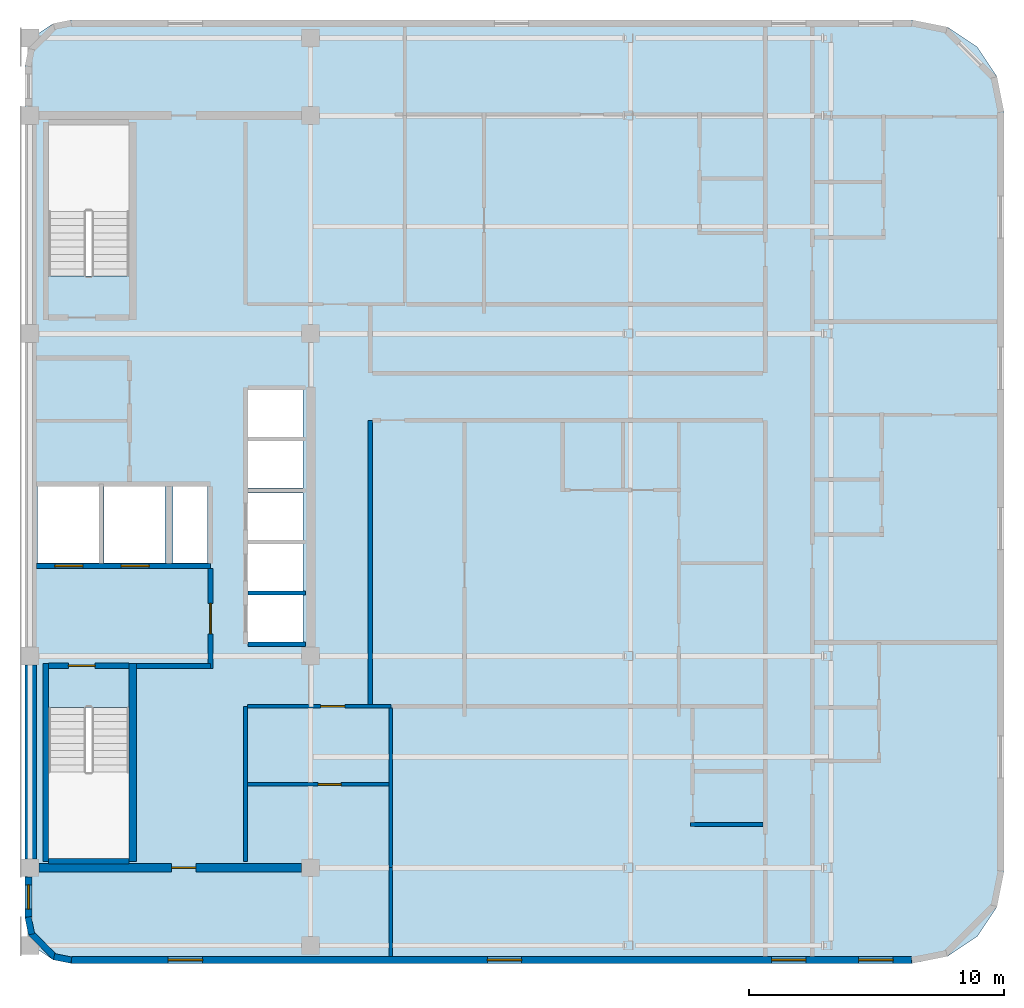
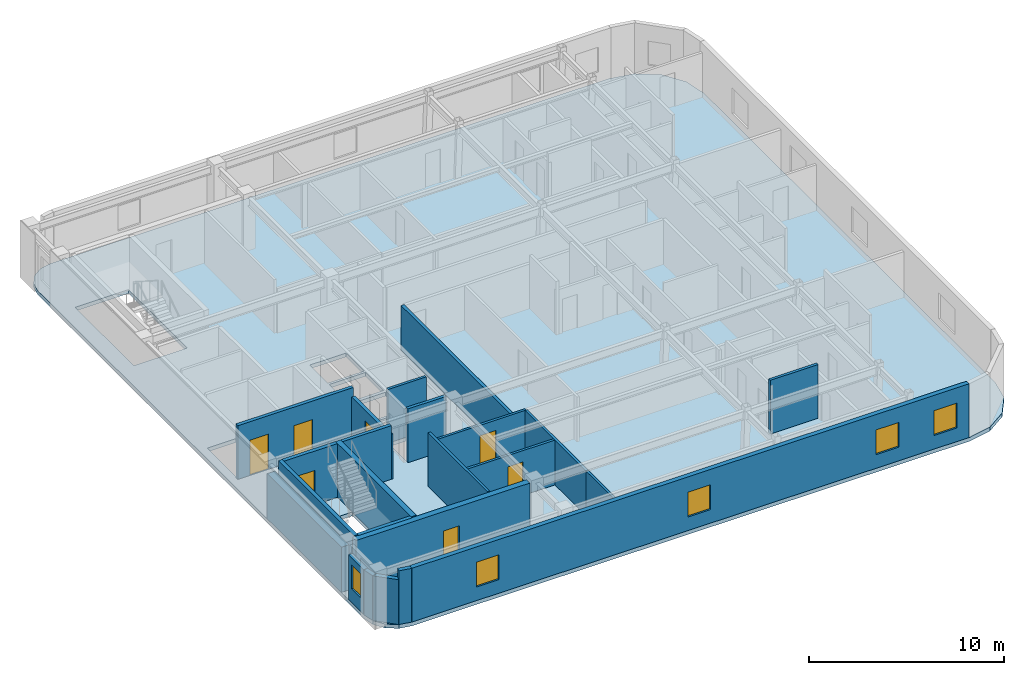
# One storey, part 2 of 6: 23 walls, 7 doors, 5 windows, 1 slab, 12 openings.
"""IFC4 building model written with IfcOpenShell, lengths in metres."""

from ifc_helpers import new_model, si_unit, direction, frame, frame_2d, origin, place, context, subcontext, project, spatial, polyline, rectangle, outline, extrude, material, layer, layer_set, type_object, element, fill, save


model = new_model("IFC4")

# Units and contexts
model_context = context("Model", 3, precision=1e-05, world=origin(), true_north=direction((0.0, 1.0)))
body_context = subcontext(model_context, "Body", "Model", "MODEL_VIEW")
ifc_project = project(units=[si_unit("LENGTHUNIT", "METRE"), si_unit("AREAUNIT", "SQUARE_METRE"), si_unit("VOLUMEUNIT", "CUBIC_METRE"), si_unit("PLANEANGLEUNIT", "RADIAN"), si_unit("MASSUNIT", "GRAM", prefix="KILO")], contexts=[model_context])

# Site, building, storey
site_placement = place(None, origin())
site = spatial("IfcSite", under=ifc_project, at=site_placement, CompositionType="ELEMENT")
building_placement = place(site_placement, origin())
building = spatial("IfcBuilding", under=site, at=building_placement, Name="Ochreholt Gables", CompositionType="ELEMENT")
storey_placement = place(building_placement, frame((0.0, 0.0, 220.199951171875)))
storey = spatial("IfcBuildingStorey", under=building, at=storey_placement, Name="L57", CompositionType="ELEMENT", Elevation=220.199951171875)

# Slab
ifc_material_1 = material(Name="Concrete 40 MPa", Category="concrete")
ifc_layer_1 = layer(ifc_material_1, 0.239990234375, Name="Concrete 40 MPa")
ifc_layer_set_1 = layer_set([ifc_layer_1], Name="Concrete 40 MPa")
slab_type = type_object("IfcSlabType", Name="SLAB-TWR-240", PredefinedType="FLOOR", material=ifc_layer_set_1)
slab_placement = place(storey_placement, frame((0.0, 0.0, -0.239990234375)))
element("IfcSlab", 1, at=slab_placement, inside=storey, type_object=slab_type, Name="L57 Structural Floor Slab", PredefinedType="FLOOR", context=body_context, shape_type="SweptSolid", body=[
    extrude(outline(polyline([(24.0, 7.300048828125), (24.136962890625, 6.611083984375), (24.527099609375, 6.027099609375), (25.111083984375, 5.636962890625), (25.800048828125, 5.5), (58.800048828125, 5.5), (60.177734375, 5.77392578125), (61.345703125, 6.554443359375), (62.1259765625, 7.722412109375), (62.39990234375, 9.10009765625), (62.39990234375, 38.89990234375), (62.1259765625, 40.277587890625), (61.345703125, 41.445556640625), (60.177734375, 42.22607421875), (58.800048828125, 42.5), (25.800048828125, 42.5), (25.111083984375, 42.363037109375), (24.527099609375, 41.972900390625), (24.136962890625, 41.388916015625), (24.0, 40.699951171875), (24.0, 7.300048828125)]), holes=[polyline([(24.919921875, 15.539306640625), (24.919921875, 9.52001953125), (28.080078125, 9.52001953125), (28.080078125, 15.539306640625), (24.919921875, 15.539306640625)]), polyline([(28.080078125, 32.460693359375), (28.080078125, 38.47998046875), (24.919921875, 38.47998046875), (24.919921875, 32.460693359375), (28.080078125, 32.460693359375)]), polyline([(24.5, 21.199951171875), (26.89990234375, 21.199951171875), (26.89990234375, 24.199951171875), (24.5, 24.199951171875), (24.5, 21.199951171875)]), polyline([(27.10009765625, 21.199951171875), (29.5, 21.199951171875), (29.5, 24.199951171875), (27.10009765625, 24.199951171875), (27.10009765625, 21.199951171875)]), polyline([(32.75, 18.10009765625), (34.89990234375, 18.10009765625), (34.89990234375, 19.949951171875), (32.75, 19.949951171875), (32.75, 18.10009765625)]), polyline([(32.75, 20.10009765625), (34.89990234375, 20.10009765625), (34.89990234375, 21.949951171875), (32.75, 21.949951171875), (32.75, 20.10009765625)]), polyline([(32.75, 22.10009765625), (34.89990234375, 22.10009765625), (34.89990234375, 23.949951171875), (32.75, 23.949951171875), (32.75, 22.10009765625)]), polyline([(32.75, 24.14990234375), (34.89990234375, 24.14990234375), (34.89990234375, 26.0), (32.75, 26.0), (32.75, 24.14990234375)]), polyline([(32.75, 26.14990234375), (34.89990234375, 26.14990234375), (34.89990234375, 28.0), (32.75, 28.0), (32.75, 26.14990234375)]), polyline([(29.800048828125, 21.199951171875), (31.14990234375, 21.199951171875), (31.14990234375, 24.199951171875), (29.800048828125, 24.199951171875), (29.800048828125, 21.199951171875)])]), origin(), (0.0, 0.0, 1.0), 0.239990234375),
])

# Wall, opening, door
ifc_material_2 = material(Name="Concrete 50 MPa", Category="concrete")
ifc_layer_2 = layer(ifc_material_2, 0.35009765625, Name="Concrete 50 MPa")
ifc_layer_set_2 = layer_set([ifc_layer_2], Name="Concrete 50 MPa")
wall_type_1 = type_object("IfcWallType", Name="WALL-CSW-350", PredefinedType="SHEAR", material=ifc_layer_set_2)
wall_1_placement = place(storey_placement, frame((24.550048828125, 9.25, 0.0), z_axis=(0.0, 0.0, 1.0), x_axis=(1.0, 0.0, 0.0)))
wall_1 = element("IfcWall", 2, at=wall_1_placement, inside=storey, type_object=wall_type_1, Name="L57 Core South Shear Wall", PredefinedType="SHEAR", context=body_context, shape_type="SweptSolid", body=[
    extrude(rectangle(XDim=10.300048828125, YDim=0.35009765625, at=frame_2d((5.14990234375, 0.0))), origin(), (0.0, 0.0, 1.0), 3.360107421875),
])
opening_1_placement = place(wall_1_placement, frame((5.199951171875, 0.0, 0.0)))
opening_1 = element("IfcOpeningElement", 3, at=opening_1_placement, cuts=wall_1, Name="Opening D-FL2", PredefinedType="OPENING", context=body_context, shape_type="SweptSolid", body=[
    extrude(rectangle(XDim=0.949951171875, YDim=2.14990234375, at=frame_2d((0.47509765625, 1.074951171875))), frame((0.0, 0.18505859375, 0.0), z_axis=(0.0, -1.0, 0.0), x_axis=(1.0, 0.0, 0.0)), (0.0, 0.0, 1.0), 0.3701171875),
])
ifc_material_3 = material(Name="Hollow Metal Steel", Category="steel")
door_type_1 = type_object("IfcDoorType", Name="DR-INT-FLB950", OperationType="NOTDEFINED", PredefinedType="DOOR", material=ifc_material_3)
door_1_placement = place(opening_1_placement, frame((0.949951171875, 0.0, 0.0), z_axis=(0.0, 0.0, 1.0), x_axis=(-1.0, 0.0, 0.0)))
door_1 = element("IfcDoor", 4, at=door_1_placement, inside=storey, type_object=door_type_1, Name="L57 Door D-C3SSL-L57", OperationType="SINGLE_SWING_LEFT", OverallHeight=2.14990234375, OverallWidth=0.949951171875, PredefinedType="DOOR", context=body_context, shape_type="SweptSolid", body=[
    extrude(rectangle(XDim=0.949951171875, YDim=2.14990234375, at=frame_2d((0.47509765625, 1.074951171875))), frame((0.0, 0.02490234375, 0.0), z_axis=(0.0, -1.0, 0.0), x_axis=(1.0, 0.0, 0.0)), (0.0, 0.0, 1.0), 0.050048828125),
])
fill(opening_1, door_1)

# Wall
ifc_layer_3 = layer(ifc_material_2, 0.449951171875, Name="Concrete 50 MPa")
ifc_layer_set_3 = layer_set([ifc_layer_3], Name="Concrete 50 MPa")
wall_type_2 = type_object("IfcWallType", Name="WALL-CSW-EXT", PredefinedType="SHEAR", material=ifc_layer_set_3)
wall_2_placement = place(storey_placement, frame((24.22509765625, 9.60009765625, 0.0), z_axis=(0.0, 0.0, 1.0), x_axis=(0.0, 1.0, 0.0)))
element("IfcWall", 5, at=wall_2_placement, inside=storey, type_object=wall_type_2, Name="L57 Core West Shear Wall WS", PredefinedType="SHEAR", context=body_context, shape_type="SweptSolid", body=[
    extrude(rectangle(XDim=7.599853515625, YDim=0.449951171875, at=frame_2d((3.7998046875, 0.0))), origin(), (0.0, 0.0, 1.0), 2.821044921875),
])

# Wall, openings, windows
ifc_material_4 = material(Name="Precast concrete 40 MPa", Category="concrete")
ifc_layer_4 = layer(ifc_material_4, 0.27001953125, Name="Precast concrete 40 MPa")
ifc_layer_set_4 = layer_set([ifc_layer_4], Name="Precast concrete 40 MPa")
wall_type_3 = type_object("IfcWallType", Name="WALL-EXT-270", PredefinedType="SOLIDWALL", material=ifc_layer_set_4)
wall_3_placement = place(storey_placement, frame((25.820068359375, 5.635009765625, 0.0), z_axis=(0.0, 0.0, 1.0), x_axis=(1.0, 0.0, 0.0)))
wall_3 = element("IfcWall", 6, at=wall_3_placement, inside=storey, type_object=wall_type_3, Name="L57 South Exterior Wall", PredefinedType="SOLIDWALL", context=body_context, shape_type="SweptSolid", body=[
    extrude(rectangle(XDim=32.9599609375, YDim=0.27001953125, at=frame_2d((16.47998046875, 0.0))), origin(), (0.0, 0.0, 1.0), 3.360107421875),
])
opening_2_placement = place(wall_3_placement, frame((3.794921875, 0.0, 0.85009765625)))
opening_2 = element("IfcOpeningElement", 7, at=opening_2_placement, cuts=wall_3, Name="Opening WN-8", PredefinedType="OPENING", context=body_context, shape_type="SweptSolid", body=[
    extrude(rectangle(XDim=1.35009765625, YDim=1.550048828125, at=frame_2d((0.675048828125, 0.77490234375))), frame((0.0, 0.14501953125, 0.0), z_axis=(0.0, -1.0, 0.0), x_axis=(1.0, 0.0, 0.0)), (0.0, 0.0, 1.0), 0.2900390625),
])
opening_3_placement = place(wall_3_placement, frame((16.31298828125, 0.0, 0.85009765625)))
opening_3 = element("IfcOpeningElement", 8, at=opening_3_placement, cuts=wall_3, Name="Opening WN-8", PredefinedType="OPENING", context=body_context, shape_type="SweptSolid", body=[
    extrude(rectangle(XDim=1.35009765625, YDim=1.550048828125, at=frame_2d((0.675048828125, 0.77490234375))), frame((0.0, 0.14501953125, 0.0), z_axis=(0.0, -1.0, 0.0), x_axis=(1.0, 0.0, 0.0)), (0.0, 0.0, 1.0), 0.2900390625),
])
opening_4_placement = place(wall_3_placement, frame((27.462890625, 0.0, 0.85009765625)))
opening_4 = element("IfcOpeningElement", 9, at=opening_4_placement, cuts=wall_3, Name="Opening WN-8", PredefinedType="OPENING", context=body_context, shape_type="SweptSolid", body=[
    extrude(rectangle(XDim=1.35009765625, YDim=1.550048828125, at=frame_2d((0.675048828125, 0.77490234375))), frame((0.0, 0.14501953125, 0.0), z_axis=(0.0, -1.0, 0.0), x_axis=(1.0, 0.0, 0.0)), (0.0, 0.0, 1.0), 0.2900390625),
])
opening_5_placement = place(wall_3_placement, frame((30.88134765625, 0.0, 0.85009765625)))
opening_5 = element("IfcOpeningElement", 10, at=opening_5_placement, cuts=wall_3, Name="Opening WN-8", PredefinedType="OPENING", context=body_context, shape_type="SweptSolid", body=[
    extrude(rectangle(XDim=1.35009765625, YDim=1.550048828125, at=frame_2d((0.675048828125, 0.77490234375))), frame((0.0, 0.14501953125, 0.0), z_axis=(0.0, -1.0, 0.0), x_axis=(1.0, 0.0, 0.0)), (0.0, 0.0, 1.0), 0.2900390625),
])
ifc_material_5 = material(Name="Triple-Glazed Thermally Broken Aluminium Window", Category="aluminium")
window_type_1 = type_object("IfcWindowType", Name="WIN-RES-1350", PartitioningType="SINGLE_PANEL", PredefinedType="WINDOW", material=ifc_material_5)
window_1_placement = place(opening_2_placement, origin())
window_1 = element("IfcWindow", 11, at=window_1_placement, inside=storey, type_object=window_type_1, Name="L57 Window W-EXT-S-L57-1", OverallHeight=1.550048828125, OverallWidth=1.35009765625, PartitioningType="SINGLE_PANEL", PredefinedType="WINDOW", context=body_context, shape_type="SweptSolid", body=[
    extrude(rectangle(XDim=1.35009765625, YDim=1.550048828125, at=frame_2d((0.675048828125, 0.77490234375))), frame((0.0, 0.030029296875, 0.0), z_axis=(0.0, -1.0, 0.0), x_axis=(1.0, 0.0, 0.0)), (0.0, 0.0, 1.0), 0.06005859375),
])
fill(opening_2, window_1)
window_2_placement = place(opening_3_placement, origin())
window_2 = element("IfcWindow", 12, at=window_2_placement, inside=storey, type_object=window_type_1, Name="L57 Window W-EXT-S-L57-2", OverallHeight=1.550048828125, OverallWidth=1.35009765625, PartitioningType="SINGLE_PANEL", PredefinedType="WINDOW", context=body_context, shape_type="SweptSolid", body=[
    extrude(rectangle(XDim=1.35009765625, YDim=1.550048828125, at=frame_2d((0.675048828125, 0.77490234375))), frame((0.0, 0.030029296875, 0.0), z_axis=(0.0, -1.0, 0.0), x_axis=(1.0, 0.0, 0.0)), (0.0, 0.0, 1.0), 0.06005859375),
])
fill(opening_3, window_2)
window_3_placement = place(opening_4_placement, origin())
window_3 = element("IfcWindow", 13, at=window_3_placement, inside=storey, type_object=window_type_1, Name="L57 Window W-EXT-S-L57-3", OverallHeight=1.550048828125, OverallWidth=1.35009765625, PartitioningType="SINGLE_PANEL", PredefinedType="WINDOW", context=body_context, shape_type="SweptSolid", body=[
    extrude(rectangle(XDim=1.35009765625, YDim=1.550048828125, at=frame_2d((0.675048828125, 0.77490234375))), frame((0.0, 0.030029296875, 0.0), z_axis=(0.0, -1.0, 0.0), x_axis=(1.0, 0.0, 0.0)), (0.0, 0.0, 1.0), 0.06005859375),
])
fill(opening_4, window_3)
window_4_placement = place(opening_5_placement, origin())
window_4 = element("IfcWindow", 14, at=window_4_placement, inside=storey, type_object=window_type_1, Name="L57 Window W-EXT-S-L57-4", OverallHeight=1.550048828125, OverallWidth=1.35009765625, PartitioningType="SINGLE_PANEL", PredefinedType="WINDOW", context=body_context, shape_type="SweptSolid", body=[
    extrude(rectangle(XDim=1.35009765625, YDim=1.550048828125, at=frame_2d((0.675048828125, 0.77490234375))), frame((0.0, 0.030029296875, 0.0), z_axis=(0.0, -1.0, 0.0), x_axis=(1.0, 0.0, 0.0)), (0.0, 0.0, 1.0), 0.06005859375),
])
fill(opening_5, window_4)

# Wall, opening, window
wall_4_placement = place(storey_placement, frame((24.135009765625, 7.320068359375, 0.0), z_axis=(0.0, 0.0, 1.0), x_axis=(0.0, 1.0, 0.0)))
wall_4 = element("IfcWall", 15, at=wall_4_placement, inside=storey, type_object=wall_type_3, Name="L57 West Facade South Bay Wall", PredefinedType="SOLIDWALL", context=body_context, shape_type="SweptSolid", body=[
    extrude(rectangle(XDim=1.559814453125, YDim=0.27001953125, at=frame_2d((0.77978515625, 0.0))), origin(), (0.0, 0.0, 1.0), 2.802978515625),
])
opening_6_placement = place(wall_4_placement, frame((0.304931640625, 0.0, 0.85009765625)))
opening_6 = element("IfcOpeningElement", 16, at=opening_6_placement, cuts=wall_4, Name="Opening WN-10", PredefinedType="OPENING", context=body_context, shape_type="SweptSolid", body=[
    extrude(rectangle(XDim=0.949951171875, YDim=1.5, at=frame_2d((0.47509765625, 0.75))), frame((0.0, 0.14501953125, 0.0), z_axis=(0.0, -1.0, 0.0), x_axis=(1.0, 0.0, 0.0)), (0.0, 0.0, 1.0), 0.2900390625),
])
window_type_2 = type_object("IfcWindowType", Name="WIN-RES-950", PartitioningType="SINGLE_PANEL", PredefinedType="WINDOW", material=ifc_material_5)
window_5_placement = place(opening_6_placement, origin())
window_5 = element("IfcWindow", 17, at=window_5_placement, inside=storey, type_object=window_type_2, Name="L57 South Sky Lounge West Window", OverallHeight=1.5, OverallWidth=0.949951171875, PartitioningType="SINGLE_PANEL", PredefinedType="WINDOW", context=body_context, shape_type="SweptSolid", body=[
    extrude(rectangle(XDim=0.949951171875, YDim=1.5, at=frame_2d((0.47509765625, 0.75))), frame((0.0, 0.030029296875, 0.0), z_axis=(0.0, -1.0, 0.0), x_axis=(1.0, 0.0, 0.0)), (0.0, 0.0, 1.0), 0.06005859375),
])
fill(opening_6, window_5)

# Walls
ifc_layer_5 = layer(ifc_material_4, 0.25, Name="Precast concrete 40 MPa")
ifc_layer_set_5 = layer_set([ifc_layer_5], Name="Precast concrete 40 MPa")
wall_type_4 = type_object("IfcWallType", Name="WALL-EXT-CNR", PredefinedType="SOLIDWALL", material=ifc_layer_set_5)
wall_5_placement = place(storey_placement, frame((24.124267578125, 7.31640625, 0.0), z_axis=(0.0, 0.0, 1.0), x_axis=(0.194952956674, -0.980812594069, 0.0)))
element("IfcWall", 18, at=wall_5_placement, inside=storey, type_object=wall_type_4, Name="L57 Rounded Corner Wall SW-1", PredefinedType="SOLIDWALL", context=body_context, shape_type="SweptSolid", body=[
    extrude(rectangle(XDim=0.686279296875, YDim=0.25, at=frame_2d((0.34326171875, 0.0))), origin(), (0.0, 0.0, 1.0), 2.802978515625),
])
wall_6_placement = place(storey_placement, frame((24.23095703125, 6.69384765625, 0.0), z_axis=(0.0, 0.0, 1.0), x_axis=(0.707106781187, -0.707106781187, 0.0)))
element("IfcWall", 19, at=wall_6_placement, inside=storey, type_object=wall_type_4, Name="L57 Rounded Corner Wall SW-2", PredefinedType="SOLIDWALL", context=body_context, shape_type="SweptSolid", body=[
    extrude(rectangle(XDim=1.36181640625, YDim=0.25, at=frame_2d((0.680908203125, 0.0))), origin(), (0.0, 0.0, 1.0), 2.802978515625),
])
wall_7_placement = place(storey_placement, frame((25.143310546875, 5.758056640625, 0.0), z_axis=(0.0, 0.0, 1.0), x_axis=(0.980812594069, -0.194952956674, 0.0)))
element("IfcWall", 20, at=wall_7_placement, inside=storey, type_object=wall_type_4, Name="L57 Rounded Corner Wall SW-3", PredefinedType="SOLIDWALL", context=body_context, shape_type="SweptSolid", body=[
    extrude(rectangle(XDim=0.686279296875, YDim=0.25, at=frame_2d((0.34326171875, 0.0))), origin(), (0.0, 0.0, 1.0), 3.360107421875),
])

# Wall, openings, doors
ifc_layer_6 = layer(ifc_material_1, 0.199951171875, Name="Concrete 40 MPa")
ifc_layer_set_6 = layer_set([ifc_layer_6], Name="Concrete 40 MPa")
wall_type_5 = type_object("IfcWallType", Name="WALL-INT-CF200", PredefinedType="STANDARD", material=ifc_layer_set_6)
wall_8_placement = place(storey_placement, frame((24.449951171875, 21.090087890625, 0.0), z_axis=(0.0, 0.0, 1.0), x_axis=(1.0, 0.0, 0.0)))
wall_8 = element("IfcWall", 21, at=wall_8_placement, inside=storey, type_object=wall_type_5, Name="L57 Interior Wall WI-FFN-L57", PredefinedType="STANDARD", context=body_context, shape_type="SweptSolid", body=[
    extrude(rectangle(XDim=6.830078125, YDim=0.199951171875, at=frame_2d((3.4150390625, 0.0))), origin(), (0.0, 0.0, 1.0), 3.360107421875),
])
opening_7_placement = place(wall_8_placement, frame((0.719970703125, 0.0, 0.0)))
opening_7 = element("IfcOpeningElement", 22, at=opening_7_placement, cuts=wall_8, Name="Opening LD-FF", PredefinedType="OPENING", context=body_context, shape_type="SweptSolid", body=[
    extrude(rectangle(XDim=1.10009765625, YDim=2.199951171875, at=frame_2d((0.550048828125, 1.10009765625))), frame((0.0, 0.10986328125, 0.0), z_axis=(0.0, -1.0, 0.0), x_axis=(1.0, 0.0, 0.0)), (0.0, 0.0, 1.0), 0.219970703125),
])
opening_8_placement = place(wall_8_placement, frame((3.320068359375, 0.0, 0.0)))
opening_8 = element("IfcOpeningElement", 23, at=opening_8_placement, cuts=wall_8, Name="Opening LD-FF", PredefinedType="OPENING", context=body_context, shape_type="SweptSolid", body=[
    extrude(rectangle(XDim=1.10009765625, YDim=2.199951171875, at=frame_2d((0.550048828125, 1.10009765625))), frame((0.0, 0.10986328125, 0.0), z_axis=(0.0, -1.0, 0.0), x_axis=(1.0, 0.0, 0.0)), (0.0, 0.0, 1.0), 0.219970703125),
])
ifc_material_6 = material(Name="Stainless Steel", Category="steel")
door_type_2 = type_object("IfcDoorType", Name="DR-LFT-FF1100", OperationType="NOTDEFINED", PredefinedType="DOOR", material=ifc_material_6)
door_2_placement = place(opening_7_placement, origin())
door_2 = element("IfcDoor", 24, at=door_2_placement, inside=storey, type_object=door_type_2, Name="L57 Door LD-FF1-L57", OperationType="SLIDING_TO_LEFT", OverallHeight=2.199951171875, OverallWidth=1.10009765625, PredefinedType="DOOR", context=body_context, shape_type="SweptSolid", body=[
    extrude(rectangle(XDim=1.10009765625, YDim=2.199951171875, at=frame_2d((0.550048828125, 1.10009765625))), frame((0.0, 0.02490234375, 0.0), z_axis=(0.0, -1.0, 0.0), x_axis=(1.0, 0.0, 0.0)), (0.0, 0.0, 1.0), 0.050048828125),
])
fill(opening_7, door_2)
door_3_placement = place(opening_8_placement, origin())
door_3 = element("IfcDoor", 25, at=door_3_placement, inside=storey, type_object=door_type_2, Name="L57 Door LD-FF2-L57", OperationType="SLIDING_TO_LEFT", OverallHeight=2.199951171875, OverallWidth=1.10009765625, PredefinedType="DOOR", context=body_context, shape_type="SweptSolid", body=[
    extrude(rectangle(XDim=1.10009765625, YDim=2.199951171875, at=frame_2d((0.550048828125, 1.10009765625))), frame((0.0, 0.02490234375, 0.0), z_axis=(0.0, -1.0, 0.0), x_axis=(1.0, 0.0, 0.0)), (0.0, 0.0, 1.0), 0.050048828125),
])
fill(opening_8, door_3)

# Wall
wall_9_placement = place(storey_placement, frame((28.3798828125, 17.169921875, 0.0), z_axis=(0.0, 0.0, 1.0), x_axis=(1.0, 0.0, 0.0)))
element("IfcWall", 26, at=wall_9_placement, inside=storey, type_object=wall_type_5, Name="L57 Interior Wall WI-FFS-L57", PredefinedType="STANDARD", context=body_context, shape_type="SweptSolid", body=[
    extrude(rectangle(XDim=2.900146484375, YDim=0.199951171875, at=frame_2d((1.4501953125, 0.0))), origin(), (0.0, 0.0, 1.0), 3.360107421875),
])

# Wall, opening, door
wall_10_placement = place(storey_placement, frame((31.280029296875, 17.070068359375, 0.0), z_axis=(0.0, 0.0, 1.0), x_axis=(0.0, 1.0, 0.0)))
wall_10 = element("IfcWall", 27, at=wall_10_placement, inside=storey, type_object=wall_type_5, Name="L57 Interior Wall WI-FFE-L57", PredefinedType="STANDARD", context=body_context, shape_type="SweptSolid", body=[
    extrude(rectangle(XDim=3.919921875, YDim=0.199951171875, at=frame_2d((1.9599609375, 0.0))), origin(), (0.0, 0.0, 1.0), 2.802978515625),
])
opening_9_placement = place(wall_10_placement, frame((1.35009765625, 0.0, 0.0)))
opening_9 = element("IfcOpeningElement", 28, at=opening_9_placement, cuts=wall_10, Name="Opening D-FFL", PredefinedType="OPENING", context=body_context, shape_type="SweptSolid", body=[
    extrude(rectangle(XDim=1.199951171875, YDim=2.14990234375, at=frame_2d((0.60009765625, 1.074951171875))), frame((0.0, 0.10986328125, 0.0), z_axis=(0.0, -1.0, 0.0), x_axis=(1.0, 0.0, 0.0)), (0.0, 0.0, 1.0), 0.219970703125),
])
door_type_3 = type_object("IfcDoorType", Name="DR-INT-FFL1200", OperationType="NOTDEFINED", PredefinedType="DOOR", material=ifc_material_3)
door_4_placement = place(opening_9_placement, origin())
door_4 = element("IfcDoor", 29, at=door_4_placement, inside=storey, type_object=door_type_3, Name="L57 Door D-FFL-L57", OperationType="SINGLE_SWING_LEFT", OverallHeight=2.14990234375, OverallWidth=1.199951171875, PredefinedType="DOOR", context=body_context, shape_type="SweptSolid", body=[
    extrude(rectangle(XDim=1.199951171875, YDim=2.14990234375, at=frame_2d((0.60009765625, 1.074951171875))), frame((0.0, 0.02490234375, 0.0), z_axis=(0.0, -1.0, 0.0), x_axis=(1.0, 0.0, 0.0)), (0.0, 0.0, 1.0), 0.050048828125),
])
fill(opening_9, door_4)

# Walls
ifc_material_7 = material(Name="Fire-Rated Gypsum Acoustic Partition", Category="gypsum")
ifc_layer_7 = layer(ifc_material_7, 0.179931640625, Name="Fire-Rated Gypsum Acoustic Partition")
ifc_layer_set_7 = layer_set([ifc_layer_7], Name="Fire-Rated Gypsum Acoustic Partition")
wall_type_6 = type_object("IfcWallType", Name="WALL-INT-CR180", PredefinedType="STANDARD", material=ifc_layer_set_7)
wall_11_placement = place(storey_placement, frame((37.550048828125, 15.652587890625, 0.0), z_axis=(0.0, 0.0, 1.0), x_axis=(0.0, 1.0, 0.0)))
element("IfcWall", 30, at=wall_11_placement, inside=storey, type_object=wall_type_6, Name="L57 Interior Wall WI-C3CE0-L57", PredefinedType="STANDARD", context=body_context, shape_type="SweptSolid", body=[
    extrude(rectangle(XDim=11.1474609375, YDim=0.179931640625, at=frame_2d((5.57373046875, 0.0))), origin(), (0.0, 0.0, 1.0), 2.802978515625),
])
ifc_material_8 = material(Name="Moisture-Resistant Plumbing Chase Wall", Category="gypsum")
ifc_layer_8 = layer(ifc_material_8, 0.159912109375, Name="Moisture-Resistant Plumbing Chase Wall")
ifc_layer_set_8 = layer_set([ifc_layer_8], Name="Moisture-Resistant Plumbing Chase Wall")
wall_type_7 = type_object("IfcWallType", Name="WALL-INT-PL160", PredefinedType="PLUMBINGWALL", material=ifc_layer_set_8)
wall_12_placement = place(storey_placement, frame((50.10888671875, 10.93994140625, 0.0), z_axis=(0.0, 0.0, 1.0), x_axis=(1.0, 0.0, 0.0)))
element("IfcWall", 31, at=wall_12_placement, inside=storey, type_object=wall_type_7, Name="L57 Interior Wall WU-L57SM1-WYS", PredefinedType="PLUMBINGWALL", context=body_context, shape_type="SweptSolid", body=[
    extrude(rectangle(XDim=2.833984375, YDim=0.159912109375, at=frame_2d((1.4169921875, 0.0))), origin(), (0.0, 0.0, 1.0), 3.360107421875),
])
ifc_material_9 = material(Name="Lightweight Stud Partition", Category="gypsum")
ifc_layer_9 = layer(ifc_material_9, 0.14501953125, Name="Lightweight Stud Partition")
ifc_layer_set_9 = layer_set([ifc_layer_9], Name="Lightweight Stud Partition")
wall_type_8 = type_object("IfcWallType", Name="WALL-INT-PT145", PredefinedType="PARTITIONING", material=ifc_layer_set_9)
wall_13_placement = place(storey_placement, frame((32.64990234375, 9.5, 0.0), z_axis=(0.0, 0.0, 1.0), x_axis=(0.0, 1.0, 0.0)))
element("IfcWall", 32, at=wall_13_placement, inside=storey, type_object=wall_type_8, Name="L57 Interior Wall WI-RCL-W-L57", PredefinedType="PARTITIONING", context=body_context, shape_type="SweptSolid", body=[
    extrude(rectangle(XDim=6.080078125, YDim=0.14501953125, at=frame_2d((3.0400390625, 0.0))), origin(), (0.0, 0.0, 1.0), 3.360107421875),
])

# Wall, opening, door
wall_14_placement = place(storey_placement, frame((32.722412109375, 15.580078125, 0.0), z_axis=(0.0, 0.0, 1.0), x_axis=(1.0, 0.0, 0.0)))
wall_14 = element("IfcWall", 33, at=wall_14_placement, inside=storey, type_object=wall_type_8, Name="L57 Interior Wall WI-RCL-N-L57", PredefinedType="PARTITIONING", context=body_context, shape_type="SweptSolid", body=[
    extrude(rectangle(XDim=5.627685546875, YDim=0.14501953125, at=frame_2d((2.81396484375, 0.0))), origin(), (0.0, 0.0, 1.0), 2.802978515625),
])
opening_10_placement = place(wall_14_placement, frame((2.87744140625, 0.0, 0.0)))
opening_10 = element("IfcOpeningElement", 34, at=opening_10_placement, cuts=wall_14, Name="Opening D-GN1", PredefinedType="OPENING", context=body_context, shape_type="SweptSolid", body=[
    extrude(rectangle(XDim=0.949951171875, YDim=2.14990234375, at=frame_2d((0.47509765625, 1.074951171875))), frame((0.0, 0.08251953125, 0.0), z_axis=(0.0, -1.0, 0.0), x_axis=(1.0, 0.0, 0.0)), (0.0, 0.0, 1.0), 0.1650390625),
])
ifc_material_10 = material(Name="Engineered Oak Timber", Category="wood")
door_type_4 = type_object("IfcDoorType", Name="DR-INT-GEN950", OperationType="NOTDEFINED", PredefinedType="DOOR", material=ifc_material_10)
door_5_placement = place(opening_10_placement, origin())
door_5 = element("IfcDoor", 35, at=door_5_placement, inside=storey, type_object=door_type_4, Name="L57 Door D-RCL-L57", OperationType="SINGLE_SWING_LEFT", OverallHeight=2.14990234375, OverallWidth=0.949951171875, PredefinedType="DOOR", context=body_context, shape_type="SweptSolid", body=[
    extrude(rectangle(XDim=0.949951171875, YDim=2.14990234375, at=frame_2d((0.47509765625, 1.074951171875))), frame((0.0, 0.02490234375, 0.0), z_axis=(0.0, -1.0, 0.0), x_axis=(1.0, 0.0, 0.0)), (0.0, 0.0, 1.0), 0.050048828125),
])
fill(opening_10, door_5)

# Wall
wall_15_placement = place(storey_placement, frame((38.35009765625, 9.25, 0.0), z_axis=(0.0, 0.0, 1.0), x_axis=(0.0, 1.0, 0.0)))
element("IfcWall", 36, at=wall_15_placement, inside=storey, type_object=wall_type_8, Name="L57 Interior Wall WI-RCL-E-L57", PredefinedType="PARTITIONING", context=body_context, shape_type="SweptSolid", body=[
    extrude(rectangle(XDim=6.257568359375, YDim=0.14501953125, at=frame_2d((3.12890625, 0.0))), origin(), (0.0, 0.0, 1.0), 2.802978515625),
])

# Wall, opening, door
wall_16_placement = place(storey_placement, frame((32.722412109375, 12.52001953125, 0.0), z_axis=(0.0, 0.0, 1.0), x_axis=(1.0, 0.0, 0.0)))
wall_16 = element("IfcWall", 37, at=wall_16_placement, inside=storey, type_object=wall_type_8, Name="L57 Interior Wall WI-RCL-DV-L57", PredefinedType="PARTITIONING", context=body_context, shape_type="SweptSolid", body=[
    extrude(rectangle(XDim=5.55517578125, YDim=0.14501953125, at=frame_2d((2.777587890625, 0.0))), origin(), (0.0, 0.0, 1.0), 2.802978515625),
])
opening_11_placement = place(wall_16_placement, frame((2.777587890625, 0.0, 0.0)))
opening_11 = element("IfcOpeningElement", 38, at=opening_11_placement, cuts=wall_16, Name="Opening D-SV1", PredefinedType="OPENING", context=body_context, shape_type="SweptSolid", body=[
    extrude(rectangle(XDim=0.89990234375, YDim=2.10009765625, at=frame_2d((0.449951171875, 1.050048828125))), frame((0.0, 0.08251953125, 0.0), z_axis=(0.0, -1.0, 0.0), x_axis=(1.0, 0.0, 0.0)), (0.0, 0.0, 1.0), 0.1650390625),
])
door_type_5 = type_object("IfcDoorType", Name="DR-INT-SRV900", OperationType="NOTDEFINED", PredefinedType="DOOR", material=ifc_material_3)
door_6_placement = place(opening_11_placement, origin())
door_6 = element("IfcDoor", 39, at=door_6_placement, inside=storey, type_object=door_type_5, Name="L57 Door D-RCLI-L57", OperationType="SINGLE_SWING_RIGHT", OverallHeight=2.10009765625, OverallWidth=0.89990234375, PredefinedType="DOOR", context=body_context, shape_type="SweptSolid", body=[
    extrude(rectangle(XDim=0.89990234375, YDim=2.10009765625, at=frame_2d((0.449951171875, 1.050048828125))), frame((0.0, 0.02490234375, 0.0), z_axis=(0.0, -1.0, 0.0), x_axis=(1.0, 0.0, 0.0)), (0.0, 0.0, 1.0), 0.050048828125),
])
fill(opening_11, door_6)

# Walls
wall_17_placement = place(storey_placement, frame((38.35009765625, 5.77001953125, 0.0), z_axis=(0.0, 0.0, 1.0), x_axis=(0.0, 1.0, 0.0)))
element("IfcWall", 40, at=wall_17_placement, inside=storey, type_object=wall_type_8, Name="L57 Interior Wall WI-C3SMW-L57", PredefinedType="PARTITIONING", context=body_context, shape_type="SweptSolid", body=[
    extrude(rectangle(XDim=3.47998046875, YDim=0.14501953125, at=frame_2d((1.739990234375, 0.0))), origin(), (0.0, 0.0, 1.0), 2.802978515625),
])
ifc_material_11 = material(Name="Gypsum Shaftliner and Steel Stud", Category="steel")
ifc_layer_10 = layer(ifc_material_11, 0.14990234375, Name="Gypsum Shaftliner and Steel Stud")
ifc_layer_set_10 = layer_set([ifc_layer_10], Name="Gypsum Shaftliner and Steel Stud")
wall_type_9 = type_object("IfcWallType", Name="WALL-INT-SH150", PredefinedType="STANDARD", material=ifc_layer_set_10)
wall_18_placement = place(storey_placement, frame((32.739990234375, 20.02001953125, 0.0), z_axis=(0.0, 0.0, 1.0), x_axis=(1.0, 0.0, 0.0)))
element("IfcWall", 41, at=wall_18_placement, inside=storey, type_object=wall_type_9, Name="L57 Interior Wall WI-LFHE-DH1-L57", PredefinedType="STANDARD", context=body_context, shape_type="SweptSolid", body=[
    extrude(rectangle(XDim=2.260009765625, YDim=0.14990234375, at=frame_2d((1.1298828125, 0.0))), origin(), (0.0, 0.0, 1.0), 3.360107421875),
])
ifc_layer_11 = layer(ifc_material_11, 0.179931640625, Name="Gypsum Shaftliner and Steel Stud")
ifc_layer_set_11 = layer_set([ifc_layer_11], Name="Gypsum Shaftliner and Steel Stud")
wall_type_10 = type_object("IfcWallType", Name="WALL-INT-SH180", PredefinedType="STANDARD", material=ifc_layer_set_11)
wall_19_placement = place(storey_placement, frame((32.739990234375, 18.02001953125, 0.0), z_axis=(0.0, 0.0, 1.0), x_axis=(1.0, 0.0, 0.0)))
element("IfcWall", 42, at=wall_19_placement, inside=storey, type_object=wall_type_10, Name="L57 Interior Wall WI-LFHE-S-L57", PredefinedType="STANDARD", context=body_context, shape_type="SweptSolid", body=[
    extrude(rectangle(XDim=2.260009765625, YDim=0.179931640625, at=frame_2d((1.1298828125, 0.0))), origin(), (0.0, 0.0, 1.0), 3.360107421875),
])
ifc_material_12 = material(Name="Concrete 60 MPa", Category="concrete")
ifc_layer_12 = layer(ifc_material_12, 0.300048828125, Name="Concrete 60 MPa")
ifc_layer_set_12 = layer_set([ifc_layer_12], Name="Concrete 60 MPa")
wall_type_11 = type_object("IfcWallType", Name="WALL-SPN-300", PredefinedType="SHEAR", material=ifc_layer_set_12)
wall_20_placement = place(storey_placement, frame((28.22998046875, 9.5, 0.0), z_axis=(0.0, 0.0, 1.0), x_axis=(0.0, 1.0, 0.0)))
element("IfcWall", 43, at=wall_20_placement, inside=storey, type_object=wall_type_11, Name="L57 Core South Spine Shear Wall", PredefinedType="SHEAR", context=body_context, shape_type="SweptSolid", body=[
    extrude(rectangle(XDim=7.760009765625, YDim=0.300048828125, at=frame_2d((3.8798828125, 0.0))), origin(), (0.0, 0.0, 1.0), 3.360107421875),
])
ifc_layer_13 = layer(ifc_material_2, 0.219970703125, Name="Concrete 50 MPa")
ifc_layer_set_13 = layer_set([ifc_layer_13], Name="Concrete 50 MPa")
wall_type_12 = type_object("IfcWallType", Name="WALL-STW-220", PredefinedType="SHEAR", material=ifc_layer_set_13)
wall_21_placement = place(storey_placement, frame((24.81005859375, 9.5, 0.0), z_axis=(0.0, 0.0, 1.0), x_axis=(0.0, 1.0, 0.0)))
element("IfcWall", 44, at=wall_21_placement, inside=storey, type_object=wall_type_12, Name="L57 Exit Stair 1 West Wall", PredefinedType="SHEAR", context=body_context, shape_type="SweptSolid", body=[
    extrude(rectangle(XDim=7.760009765625, YDim=0.219970703125, at=frame_2d((3.8798828125, 0.0))), origin(), (0.0, 0.0, 1.0), 3.360107421875),
])
wall_22_placement = place(storey_placement, frame((24.919921875, 9.510009765625, 0.0), z_axis=(0.0, 0.0, 1.0), x_axis=(1.0, 0.0, 0.0)))
element("IfcWall", 45, at=wall_22_placement, inside=storey, type_object=wall_type_12, Name="L57 Exit Stair 1 South Wall", PredefinedType="SHEAR", context=body_context, shape_type="SweptSolid", body=[
    extrude(rectangle(XDim=3.16015625, YDim=0.219970703125, at=frame_2d((1.580078125, 0.0))), origin(), (0.0, 0.0, 1.0), 3.360107421875),
])

# Wall, opening, door
wall_23_placement = place(storey_placement, frame((24.919921875, 17.169921875, 0.0), z_axis=(0.0, 0.0, 1.0), x_axis=(1.0, 0.0, 0.0)))
wall_23 = element("IfcWall", 46, at=wall_23_placement, inside=storey, type_object=wall_type_12, Name="L57 Exit Stair 1 North Wall", PredefinedType="SHEAR", context=body_context, shape_type="SweptSolid", body=[
    extrude(rectangle(XDim=3.16015625, YDim=0.219970703125, at=frame_2d((1.580078125, 0.0))), origin(), (0.0, 0.0, 1.0), 3.360107421875),
])
opening_12_placement = place(wall_23_placement, frame((0.780029296875, 0.0, 0.0)))
opening_12 = element("IfcOpeningElement", 47, at=opening_12_placement, cuts=wall_23, Name="Opening D-STC", PredefinedType="OPENING", context=body_context, shape_type="SweptSolid", body=[
    extrude(rectangle(XDim=1.050048828125, YDim=2.14990234375, at=frame_2d((0.52490234375, 1.074951171875))), frame((0.0, 0.119873046875, 0.0), z_axis=(0.0, -1.0, 0.0), x_axis=(1.0, 0.0, 0.0)), (0.0, 0.0, 1.0), 0.239990234375),
])
door_type_6 = type_object("IfcDoorType", Name="DR-INT-ST1050", OperationType="NOTDEFINED", PredefinedType="DOOR", material=ifc_material_3)
door_7_placement = place(opening_12_placement, frame((1.050048828125, 0.0, 0.0), z_axis=(0.0, 0.0, 1.0), x_axis=(-1.0, 0.0, 0.0)))
door_7 = element("IfcDoor", 48, at=door_7_placement, inside=storey, type_object=door_type_6, Name="L57 Door D-ST1-L57", OperationType="SINGLE_SWING_LEFT", OverallHeight=2.14990234375, OverallWidth=1.050048828125, PredefinedType="DOOR", context=body_context, shape_type="SweptSolid", body=[
    extrude(rectangle(XDim=1.050048828125, YDim=2.14990234375, at=frame_2d((0.52490234375, 1.074951171875))), frame((0.0, 0.02490234375, 0.0), z_axis=(0.0, -1.0, 0.0), x_axis=(1.0, 0.0, 0.0)), (0.0, 0.0, 1.0), 0.050048828125),
])
fill(opening_12, door_7)

save(model, "model.ifc")
